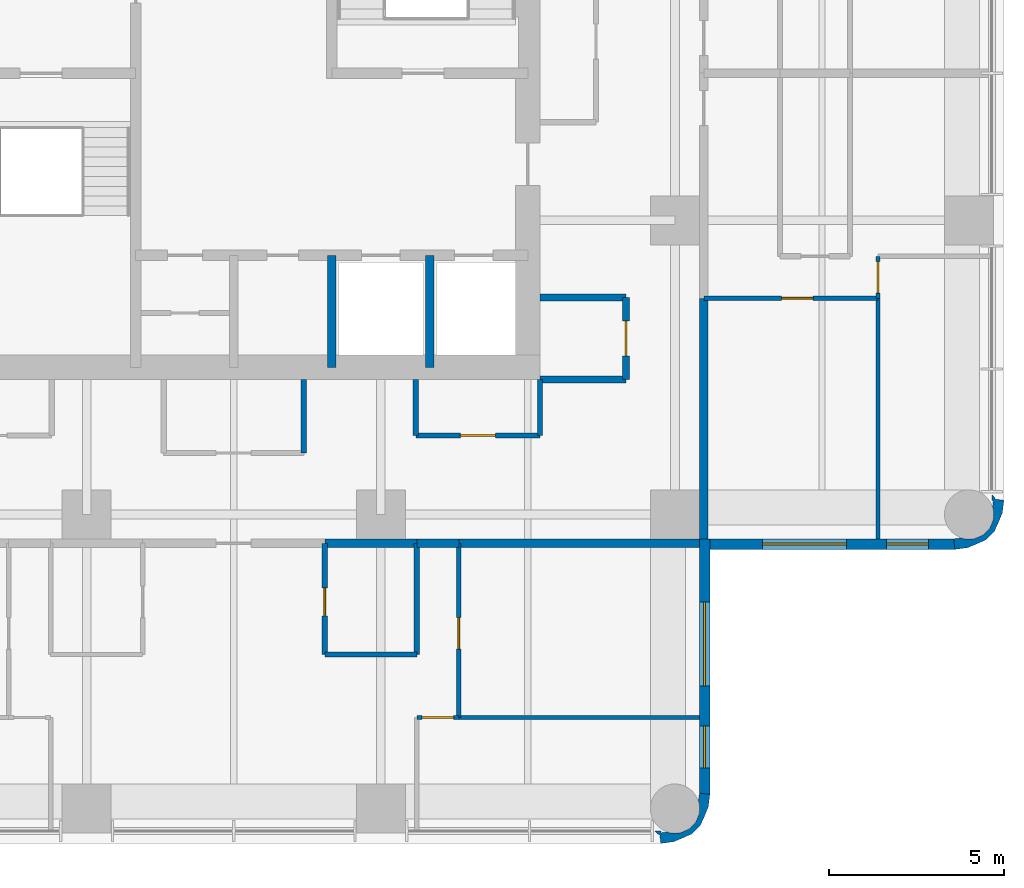
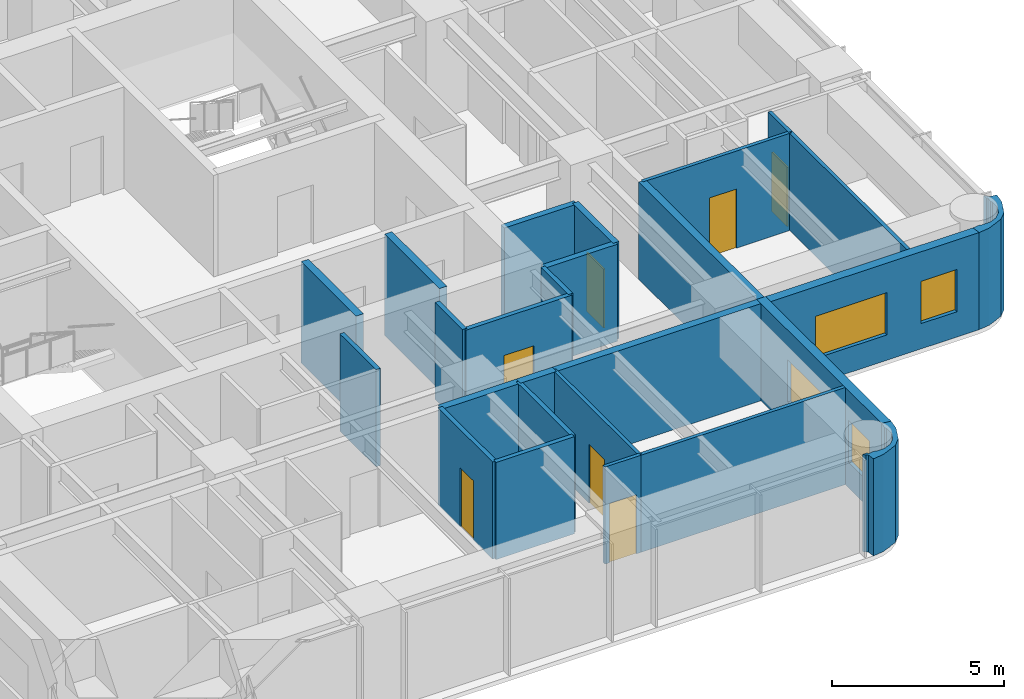
# One storey, part 7 of 11: 26 walls, 7 doors, 4 windows, 11 openings.
"""IFC4 building model written with IfcOpenShell, lengths in metres."""

from ifc_helpers import new_model, si_unit, direction, frame, frame_2d, origin, place, context, subcontext, project, spatial, polyline, rectangle, outline, extrude, material, layer, layer_set, type_object, element, fill, save


model = new_model("IFC4")

# Units and contexts
model_context = context("Model", 3, precision=1e-05, world=origin(), true_north=direction((0.0, 1.0)))
body_context = subcontext(model_context, "Body", "Model", "MODEL_VIEW")
ifc_project = project(units=[si_unit("LENGTHUNIT", "METRE"), si_unit("AREAUNIT", "SQUARE_METRE"), si_unit("VOLUMEUNIT", "CUBIC_METRE"), si_unit("PLANEANGLEUNIT", "RADIAN"), si_unit("MASSUNIT", "GRAM", prefix="KILO")], contexts=[model_context])

# Site, building, storey
site_placement = place(None, origin())
site = spatial("IfcSite", under=ifc_project, at=site_placement, CompositionType="ELEMENT")
building_placement = place(site_placement, origin())
building = spatial("IfcBuilding", under=site, at=building_placement, Name="Torre Alcanfor", CompositionType="ELEMENT")
storey_placement = place(building_placement, frame((0.0, 0.0, 190.5)))
storey = spatial("IfcBuildingStorey", under=building, at=storey_placement, Name="L49", CompositionType="ELEMENT", Elevation=190.5)

# Walls
ifc_material_1 = material(Name="Concrete block masonry, hollow blocks NMX-C-404 9 MPa", Category="masonry")
ifc_layer_1 = layer(ifc_material_1, 0.25)
ifc_layer_set_1 = layer_set([ifc_layer_1], Name="Apartment entrance wall 250 EI 60")
wall_type_1 = type_object("IfcWallType", Name="Apartment entrance wall 250 EI 60", PredefinedType="PARTITIONING", material=ifc_layer_set_1)
wall_1_placement = place(storey_placement, frame((42.824951171875, 22.970947265625, 0.0), z_axis=(0.0, 0.0, 1.0), x_axis=(0.0, -1.0, 0.0)))
element("IfcWall", 1, at=wall_1_placement, inside=storey, type_object=wall_type_1, Name="Partition L49-CORR / L49-E2-BED2", PredefinedType="PARTITIONING", context=body_context, shape_type="SweptSolid", body=[
    extrude(rectangle(XDim=6.870849609375, YDim=0.25, at=frame_2d((3.435546875, 0.0))), origin(), (0.0, 0.0, 1.0), 3.449951171875),
])
wall_2_placement = place(storey_placement, frame((34.62890625, 15.97509765625, 0.0), z_axis=(0.0, 0.0, 1.0), x_axis=(-1.0, 0.0, 0.0)))
element("IfcWall", 2, at=wall_2_placement, inside=storey, type_object=wall_type_1, Name="Partition L49-CORR / L49-SX-BATH2", PredefinedType="PARTITIONING", context=body_context, shape_type="SweptSolid", body=[
    extrude(rectangle(XDim=2.62890625, YDim=0.25, at=frame_2d((1.314453125, 0.0))), origin(), (0.0, 0.0, 1.0), 3.449951171875),
])
wall_3_placement = place(storey_placement, frame((35.8291015625, 15.97509765625, 0.0), z_axis=(0.0, 0.0, 1.0), x_axis=(-1.0, 0.0, 0.0)))
element("IfcWall", 3, at=wall_3_placement, inside=storey, type_object=wall_type_1, Name="Partition L49-CORR / L49-SX-LIVING", PredefinedType="PARTITIONING", context=body_context, shape_type="SweptSolid", body=[
    extrude(rectangle(XDim=1.2001953125, YDim=0.25, at=frame_2d((0.60009765625, 0.0))), origin(), (0.0, 0.0, 1.0), 3.449951171875),
])
wall_4_placement = place(storey_placement, frame((42.699951171875, 15.97509765625, 0.0), z_axis=(0.0, 0.0, 1.0), x_axis=(-1.0, 0.0, 0.0)))
element("IfcWall", 4, at=wall_4_placement, inside=storey, type_object=wall_type_1, Name="Partition L49-CORR / L49-SX-BED2", PredefinedType="PARTITIONING", context=body_context, shape_type="SweptSolid", body=[
    extrude(rectangle(XDim=6.870849609375, YDim=0.25, at=frame_2d((3.435546875, 0.0))), origin(), (0.0, 0.0, 1.0), 3.449951171875),
])

# Wall, opening, door
ifc_material_2 = material(Name="Gypsum board on steel studs", Category="steel")
ifc_layer_2 = layer(ifc_material_2, 0.1201171875)
ifc_layer_set_2 = layer_set([ifc_layer_2], Name="Apartment partition 120")
wall_type_2 = type_object("IfcWallType", Name="Apartment partition 120", PredefinedType="PARTITIONING", material=ifc_layer_set_2)
wall_5_placement = place(storey_placement, frame((47.800048828125, 22.970947265625, 0.0), z_axis=(0.0, 0.0, 1.0), x_axis=(-1.0, 0.0, 0.0)))
wall_5 = element("IfcWall", 5, at=wall_5_placement, inside=storey, type_object=wall_type_2, Name="Partition L49-E2-LIVING / L49-E2-BED2", PredefinedType="PARTITIONING", context=body_context, shape_type="SweptSolid", body=[
    extrude(rectangle(XDim=4.97509765625, YDim=0.1201171875, at=frame_2d((2.487548828125, 0.0))), origin(), (0.0, 0.0, 1.0), 3.449951171875),
])
opening_1_placement = place(wall_5_placement, frame((1.85009765625, 0.0, 0.0)))
opening_1 = element("IfcOpeningElement", 6, at=opening_1_placement, cuts=wall_5, Name="Opening D-R1", PredefinedType="OPENING", context=body_context, shape_type="SweptSolid", body=[
    extrude(rectangle(XDim=0.89990234375, YDim=2.10009765625, at=frame_2d((0.449951171875, 1.050048828125))), frame((0.0, 0.070068359375, 0.0), z_axis=(0.0, -1.0, 0.0), x_axis=(1.0, 0.0, 0.0)), (0.0, 0.0, 1.0), 0.14013671875),
])
ifc_material_3 = material(Name="Timber", Category="wood")
door_type_1 = type_object("IfcDoorType", Name="Internal door 900x2100", OperationType="SINGLE_SWING_LEFT", PredefinedType="DOOR", material=ifc_material_3)
door_1_placement = place(opening_1_placement, origin())
door_1 = element("IfcDoor", 7, at=door_1_placement, inside=storey, type_object=door_type_1, Name="Door L49-E2 bed2", OperationType="SINGLE_SWING_LEFT", OverallHeight=2.10009765625, OverallWidth=0.89990234375, PredefinedType="DOOR", context=body_context, shape_type="SweptSolid", body=[
    extrude(rectangle(XDim=0.89990234375, YDim=2.10009765625, at=frame_2d((0.449951171875, 1.050048828125))), frame((0.0, 0.02490234375, 0.0), z_axis=(0.0, -1.0, 0.0), x_axis=(1.0, 0.0, 0.0)), (0.0, 0.0, 1.0), 0.050048828125),
])
fill(opening_1, door_1)

wall_6_placement = place(storey_placement, frame((47.800048828125, 24.1708984375, 0.0), z_axis=(0.0, 0.0, 1.0), x_axis=(0.0, -1.0, 0.0)))
wall_6 = element("IfcWall", 8, at=wall_6_placement, inside=storey, type_object=wall_type_2, Name="Partition L49-E2-LIVING / L49-E2-MASTER", PredefinedType="PARTITIONING", context=body_context, shape_type="SweptSolid", body=[
    extrude(rectangle(XDim=1.199951171875, YDim=0.1201171875, at=frame_2d((0.60009765625, 0.0))), origin(), (0.0, 0.0, 1.0), 3.449951171875),
])
opening_2_placement = place(wall_6_placement, frame((0.15087890625, 0.0, 0.0)))
opening_2 = element("IfcOpeningElement", 9, at=opening_2_placement, cuts=wall_6, Name="Opening D-R1", PredefinedType="OPENING", context=body_context, shape_type="SweptSolid", body=[
    extrude(rectangle(XDim=0.89990234375, YDim=2.10009765625, at=frame_2d((0.449951171875, 1.050048828125))), frame((0.0, 0.070068359375, 0.0), z_axis=(0.0, -1.0, 0.0), x_axis=(1.0, 0.0, 0.0)), (0.0, 0.0, 1.0), 0.14013671875),
])
door_2_placement = place(opening_2_placement, origin())
door_2 = element("IfcDoor", 10, at=door_2_placement, inside=storey, type_object=door_type_1, Name="Door L49-E2 master", OperationType="SINGLE_SWING_LEFT", OverallHeight=2.10009765625, OverallWidth=0.89990234375, PredefinedType="DOOR", context=body_context, shape_type="SweptSolid", body=[
    extrude(rectangle(XDim=0.89990234375, YDim=2.10009765625, at=frame_2d((0.449951171875, 1.050048828125))), frame((0.0, 0.02490234375, 0.0), z_axis=(0.0, -1.0, 0.0), x_axis=(1.0, 0.0, 0.0)), (0.0, 0.0, 1.0), 0.050048828125),
])
fill(opening_2, door_2)

# Wall
wall_7_placement = place(storey_placement, frame((47.800048828125, 22.970947265625, 0.0), z_axis=(0.0, 0.0, 1.0), x_axis=(0.0, -1.0, 0.0)))
element("IfcWall", 11, at=wall_7_placement, inside=storey, type_object=wall_type_2, Name="Partition L49-E2-BED2 / L49-E2-MASTER", PredefinedType="PARTITIONING", context=body_context, shape_type="SweptSolid", body=[
    extrude(rectangle(XDim=6.870849609375, YDim=0.1201171875, at=frame_2d((3.435546875, 0.0))), origin(), (0.0, 0.0, 1.0), 3.449951171875),
])

# Wall, opening, door
wall_8_placement = place(storey_placement, frame((35.8291015625, 15.97509765625, 0.0), z_axis=(0.0, 0.0, 1.0), x_axis=(0.0, -1.0, 0.0)))
wall_8 = element("IfcWall", 12, at=wall_8_placement, inside=storey, type_object=wall_type_2, Name="Partition L49-SX-LIVING / L49-SX-BED2", PredefinedType="PARTITIONING", context=body_context, shape_type="SweptSolid", body=[
    extrude(rectangle(XDim=4.97509765625, YDim=0.1201171875, at=frame_2d((2.487548828125, 0.0))), origin(), (0.0, 0.0, 1.0), 3.449951171875),
])
opening_3_placement = place(wall_8_placement, frame((2.125, 0.0, 0.0)))
opening_3 = element("IfcOpeningElement", 13, at=opening_3_placement, cuts=wall_8, Name="Opening D-R1", PredefinedType="OPENING", context=body_context, shape_type="SweptSolid", body=[
    extrude(rectangle(XDim=0.89990234375, YDim=2.10009765625, at=frame_2d((0.449951171875, 1.050048828125))), frame((0.0, 0.070068359375, 0.0), z_axis=(0.0, -1.0, 0.0), x_axis=(1.0, 0.0, 0.0)), (0.0, 0.0, 1.0), 0.14013671875),
])
door_3_placement = place(opening_3_placement, origin())
door_3 = element("IfcDoor", 14, at=door_3_placement, inside=storey, type_object=door_type_1, Name="Door L49-SX bed2", OperationType="SINGLE_SWING_RIGHT", OverallHeight=2.10009765625, OverallWidth=0.89990234375, PredefinedType="DOOR", context=body_context, shape_type="SweptSolid", body=[
    extrude(rectangle(XDim=0.89990234375, YDim=2.10009765625, at=frame_2d((0.449951171875, 1.050048828125))), frame((0.0, 0.02490234375, 0.0), z_axis=(0.0, -1.0, 0.0), x_axis=(1.0, 0.0, 0.0)), (0.0, 0.0, 1.0), 0.050048828125),
])
fill(opening_3, door_3)

wall_9_placement = place(storey_placement, frame((35.8291015625, 11.0, 0.0), z_axis=(0.0, 0.0, 1.0), x_axis=(-1.0, 0.0, 0.0)))
wall_9 = element("IfcWall", 15, at=wall_9_placement, inside=storey, type_object=wall_type_2, Name="Partition L49-SX-LIVING / L49-SX-MASTER", PredefinedType="PARTITIONING", context=body_context, shape_type="SweptSolid", body=[
    extrude(rectangle(XDim=1.2001953125, YDim=0.1201171875, at=frame_2d((0.60009765625, 0.0))), origin(), (0.0, 0.0, 1.0), 3.449951171875),
])
opening_4_placement = place(wall_9_placement, frame((0.14892578125, 0.0, 0.0)))
opening_4 = element("IfcOpeningElement", 16, at=opening_4_placement, cuts=wall_9, Name="Opening D-R1", PredefinedType="OPENING", context=body_context, shape_type="SweptSolid", body=[
    extrude(rectangle(XDim=0.89990234375, YDim=2.10009765625, at=frame_2d((0.449951171875, 1.050048828125))), frame((0.0, 0.070068359375, 0.0), z_axis=(0.0, -1.0, 0.0), x_axis=(1.0, 0.0, 0.0)), (0.0, 0.0, 1.0), 0.14013671875),
])
door_4_placement = place(opening_4_placement, origin())
door_4 = element("IfcDoor", 17, at=door_4_placement, inside=storey, type_object=door_type_1, Name="Door L49-SX master", OperationType="SINGLE_SWING_RIGHT", OverallHeight=2.10009765625, OverallWidth=0.89990234375, PredefinedType="DOOR", context=body_context, shape_type="SweptSolid", body=[
    extrude(rectangle(XDim=0.89990234375, YDim=2.10009765625, at=frame_2d((0.449951171875, 1.050048828125))), frame((0.0, 0.02490234375, 0.0), z_axis=(0.0, -1.0, 0.0), x_axis=(1.0, 0.0, 0.0)), (0.0, 0.0, 1.0), 0.050048828125),
])
fill(opening_4, door_4)

# Walls
wall_10_placement = place(storey_placement, frame((35.8291015625, 11.0, 0.0), z_axis=(0.0, 0.0, 1.0), x_axis=(1.0, 0.0, 0.0)))
element("IfcWall", 18, at=wall_10_placement, inside=storey, type_object=wall_type_2, Name="Partition L49-SX-BED2 / L49-SX-MASTER", PredefinedType="PARTITIONING", context=body_context, shape_type="SweptSolid", body=[
    extrude(rectangle(XDim=6.870849609375, YDim=0.1201171875, at=frame_2d((3.435546875, 0.0))), origin(), (0.0, 0.0, 1.0), 3.449951171875),
])
ifc_material_4 = material(Name="Concrete f'c 70 MPa", Category="concrete")
ifc_layer_3 = layer(ifc_material_4, 0.25)
ifc_layer_set_3 = layer_set([ifc_layer_3], Name="Core shaft wall 250 f'c70")
wall_type_3 = type_object("IfcWallType", Name="Core shaft wall 250 f'c70", PredefinedType="SHEAR", material=ifc_layer_set_3)
for number, where, z_axis, x_axis, name in (
    (19, (32.199951171875, 21.0, 0.0), (0.0, 0.0, 1.0), (0.0, 1.0, 0.0), "Core wall X322S L49"),
    (20, (35.0, 21.0, 0.0), (0.0, 0.0, 1.0), (0.0, 1.0, 0.0), "Core wall X350S L49"),
):
    element("IfcWall", number, at=place(storey_placement, frame(where, z_axis=z_axis, x_axis=x_axis)), inside=storey, type_object=wall_type_3, Name=name, PredefinedType="SHEAR", context=body_context, shape_type="SweptSolid", body=[
        extrude(rectangle(XDim=3.199951171875, YDim=0.25, at=frame_2d((1.60009765625, 0.0))), origin(), (0.0, 0.0, 1.0), 3.60009765625),
    ])

# Wall, openings, windows
ifc_material_5 = material(Name="Limestone cladding", Category="masonry")
ifc_layer_4 = layer(ifc_material_5, 0.0400390625, Name="Facing")
ifc_material_6 = material(Name="Ventilated air cavity")
ifc_layer_5 = layer(ifc_material_6, 0.02001953125, ventilated=True, Name="Ventilated joint")
ifc_material_7 = material(Name="Mineral wool insulation", Category="insulation")
ifc_layer_6 = layer(ifc_material_7, 0.10009765625, Name="Insulation")
ifc_material_8 = material(Name="Concrete f'c 35 MPa", Category="concrete")
ifc_layer_7 = layer(ifc_material_8, 0.139892578125, Name="Backing")
ifc_layer_set_4 = layer_set([ifc_layer_4, ifc_layer_5, ifc_layer_6, ifc_layer_7], Name="External wall stone-clad 300")
wall_type_4 = type_object("IfcWallType", Name="External wall stone-clad 300", PredefinedType="SOLIDWALL", material=ifc_layer_set_4)
wall_11_placement = place(storey_placement, frame((42.85009765625, 8.800048828125, 0.0), z_axis=(0.0, 0.0, 1.0), x_axis=(0.0, 1.0, 0.0)))
wall_11 = element("IfcWall", 21, at=wall_11_placement, inside=storey, type_object=wall_type_4, Name="External wall L49 6", PredefinedType="SOLIDWALL", context=body_context, shape_type="SweptSolid", body=[
    extrude(rectangle(XDim=7.300048828125, YDim=0.300048828125, at=frame_2d((3.64990234375, 0.0))), origin(), (0.0, 0.0, 1.0), 3.449951171875),
])
opening_5_placement = place(wall_11_placement, frame((3.10009765625, 0.0, 0.89990234375)))
opening_5 = element("IfcOpeningElement", 22, at=opening_5_placement, cuts=wall_11, Name="Opening W1", PredefinedType="OPENING", context=body_context, shape_type="SweptSolid", body=[
    extrude(rectangle(XDim=2.39990234375, YDim=1.5, at=frame_2d((1.199951171875, 0.75))), frame((0.0, 0.159912109375, 0.0), z_axis=(0.0, -1.0, 0.0), x_axis=(1.0, 0.0, 0.0)), (0.0, 0.0, 1.0), 0.320068359375),
])
opening_6_placement = place(wall_11_placement, frame((0.75, 0.0, 0.89990234375)))
opening_6 = element("IfcOpeningElement", 23, at=opening_6_placement, cuts=wall_11, Name="Opening W4", PredefinedType="OPENING", context=body_context, shape_type="SweptSolid", body=[
    extrude(rectangle(XDim=1.199951171875, YDim=1.5, at=frame_2d((0.60009765625, 0.75))), frame((0.0, 0.159912109375, 0.0), z_axis=(0.0, -1.0, 0.0), x_axis=(1.0, 0.0, 0.0)), (0.0, 0.0, 1.0), 0.320068359375),
])
ifc_material_9 = material(Name="Aluminium frame with clear double glazing", Category="aluminium")
window_type_1 = type_object("IfcWindowType", Name="Window bedroom 1200x1500", PartitioningType="SINGLE_PANEL", PredefinedType="WINDOW", material=ifc_material_9)
window_1_placement = place(opening_6_placement, origin())
window_1 = element("IfcWindow", 24, at=window_1_placement, inside=storey, type_object=window_type_1, Name="Window W4 L49-S1", OverallHeight=1.5, OverallWidth=1.199951171875, PartitioningType="SINGLE_PANEL", PredefinedType="WINDOW", context=body_context, shape_type="SweptSolid", body=[
    extrude(rectangle(XDim=1.199951171875, YDim=1.5, at=frame_2d((0.60009765625, 0.75))), frame((0.0, 0.030029296875, 0.0), z_axis=(0.0, -1.0, 0.0), x_axis=(1.0, 0.0, 0.0)), (0.0, 0.0, 1.0), 0.06005859375),
])
fill(opening_6, window_1)
ifc_material_10 = material(Name="Aluminium frame with clear double glazing", Category="aluminium")
window_type_2 = type_object("IfcWindowType", Name="Window bedroom 2400x1500", PartitioningType="SINGLE_PANEL", PredefinedType="WINDOW", material=ifc_material_10)
window_2_placement = place(opening_5_placement, origin())
window_2 = element("IfcWindow", 25, at=window_2_placement, inside=storey, type_object=window_type_2, Name="Window W1 L49-S1", OverallHeight=1.5, OverallWidth=2.39990234375, PartitioningType="SINGLE_PANEL", PredefinedType="WINDOW", context=body_context, shape_type="SweptSolid", body=[
    extrude(rectangle(XDim=2.39990234375, YDim=1.5, at=frame_2d((1.199951171875, 0.75))), frame((0.0, 0.030029296875, 0.0), z_axis=(0.0, -1.0, 0.0), x_axis=(1.0, 0.0, 0.0)), (0.0, 0.0, 1.0), 0.06005859375),
])
fill(opening_5, window_2)

wall_12_placement = place(storey_placement, frame((43.0, 15.949951171875, 0.0), z_axis=(0.0, 0.0, 1.0), x_axis=(1.0, 0.0, 0.0)))
wall_12 = element("IfcWall", 26, at=wall_12_placement, inside=storey, type_object=wall_type_4, Name="External wall L49 7", PredefinedType="SOLIDWALL", context=body_context, shape_type="SweptSolid", body=[
    extrude(rectangle(XDim=7.0, YDim=0.300048828125, at=frame_2d((3.5, 0.0))), origin(), (0.0, 0.0, 1.0), 3.449951171875),
])
opening_7_placement = place(wall_12_placement, frame((1.5, 0.0, 0.89990234375)))
opening_7 = element("IfcOpeningElement", 27, at=opening_7_placement, cuts=wall_12, Name="Opening W1", PredefinedType="OPENING", context=body_context, shape_type="SweptSolid", body=[
    extrude(rectangle(XDim=2.39990234375, YDim=1.5, at=frame_2d((1.199951171875, 0.75))), frame((0.0, 0.159912109375, 0.0), z_axis=(0.0, -1.0, 0.0), x_axis=(1.0, 0.0, 0.0)), (0.0, 0.0, 1.0), 0.320068359375),
])
opening_8_placement = place(wall_12_placement, frame((5.050048828125, 0.0, 0.89990234375)))
opening_8 = element("IfcOpeningElement", 28, at=opening_8_placement, cuts=wall_12, Name="Opening W4", PredefinedType="OPENING", context=body_context, shape_type="SweptSolid", body=[
    extrude(rectangle(XDim=1.199951171875, YDim=1.5, at=frame_2d((0.60009765625, 0.75))), frame((0.0, 0.159912109375, 0.0), z_axis=(0.0, -1.0, 0.0), x_axis=(1.0, 0.0, 0.0)), (0.0, 0.0, 1.0), 0.320068359375),
])
window_3_placement = place(opening_8_placement, origin())
window_3 = element("IfcWindow", 29, at=window_3_placement, inside=storey, type_object=window_type_1, Name="Window W4 L49-E2", OverallHeight=1.5, OverallWidth=1.199951171875, PartitioningType="SINGLE_PANEL", PredefinedType="WINDOW", context=body_context, shape_type="SweptSolid", body=[
    extrude(rectangle(XDim=1.199951171875, YDim=1.5, at=frame_2d((0.60009765625, 0.75))), frame((0.0, 0.030029296875, 0.0), z_axis=(0.0, -1.0, 0.0), x_axis=(1.0, 0.0, 0.0)), (0.0, 0.0, 1.0), 0.06005859375),
])
fill(opening_8, window_3)
window_4_placement = place(opening_7_placement, origin())
window_4 = element("IfcWindow", 30, at=window_4_placement, inside=storey, type_object=window_type_2, Name="Window W1 L49-E2", OverallHeight=1.5, OverallWidth=2.39990234375, PartitioningType="SINGLE_PANEL", PredefinedType="WINDOW", context=body_context, shape_type="SweptSolid", body=[
    extrude(rectangle(XDim=2.39990234375, YDim=1.5, at=frame_2d((1.199951171875, 0.75))), frame((0.0, 0.030029296875, 0.0), z_axis=(0.0, -1.0, 0.0), x_axis=(1.0, 0.0, 0.0)), (0.0, 0.0, 1.0), 0.06005859375),
])
fill(opening_7, window_4)

# Wall
ifc_material_11 = material(Name="Concrete block masonry, hollow blocks NMX-C-404 9 MPa", Category="masonry")
ifc_layer_8 = layer(ifc_material_11, 0.199951171875)
ifc_layer_set_5 = layer_set([ifc_layer_8], Name="Plant room wall 200 EI 60")
wall_type_5 = type_object("IfcWallType", Name="Plant room wall 200 EI 60", PredefinedType="PARTITIONING", material=ifc_layer_set_5)
wall_13_placement = place(storey_placement, frame((38.14990234375, 20.64990234375, 0.0), z_axis=(0.0, 0.0, 1.0), x_axis=(1.0, 0.0, 0.0)))
element("IfcWall", 31, at=wall_13_placement, inside=storey, type_object=wall_type_5, Name="Partition L49-CORR / L49-G03", PredefinedType="PARTITIONING", context=body_context, shape_type="SweptSolid", body=[
    extrude(rectangle(XDim=2.4501953125, YDim=0.199951171875, at=frame_2d((1.22509765625, 0.0))), origin(), (0.0, 0.0, 1.0), 3.449951171875),
])

# Wall, opening, door
wall_14_placement = place(storey_placement, frame((40.60009765625, 20.64990234375, 0.0), z_axis=(0.0, 0.0, 1.0), x_axis=(0.0, 1.0, 0.0)))
wall_14 = element("IfcWall", 32, at=wall_14_placement, inside=storey, type_object=wall_type_5, Name="Partition L49-CORR / L49-G03", PredefinedType="PARTITIONING", context=body_context, shape_type="SweptSolid", body=[
    extrude(rectangle(XDim=2.35009765625, YDim=0.199951171875, at=frame_2d((1.175048828125, 0.0))), origin(), (0.0, 0.0, 1.0), 3.449951171875),
])
opening_9_placement = place(wall_14_placement, frame((0.675048828125, 0.0, 0.0)))
opening_9 = element("IfcOpeningElement", 33, at=opening_9_placement, cuts=wall_14, Name="Opening D-K1", PredefinedType="OPENING", context=body_context, shape_type="SweptSolid", body=[
    extrude(rectangle(XDim=1.0, YDim=2.10009765625, at=frame_2d((0.5, 1.050048828125))), frame((0.0, 0.10986328125, 0.0), z_axis=(0.0, -1.0, 0.0), x_axis=(1.0, 0.0, 0.0)), (0.0, 0.0, 1.0), 0.219970703125),
])
ifc_material_12 = material(Name="Galvanised steel sheet ASTM A653", Category="steel")
door_type_2 = type_object("IfcDoorType", Name="Core room door FD60 1000x2100", OperationType="SINGLE_SWING_LEFT", PredefinedType="DOOR", material=ifc_material_12)
door_5_placement = place(opening_9_placement, origin())
door_5 = element("IfcDoor", 34, at=door_5_placement, inside=storey, type_object=door_type_2, Name="Door L49-G03 refuse and recycling store", OperationType="SINGLE_SWING_LEFT", OverallHeight=2.10009765625, OverallWidth=1.0, PredefinedType="DOOR", context=body_context, shape_type="SweptSolid", body=[
    extrude(rectangle(XDim=1.0, YDim=2.10009765625, at=frame_2d((0.5, 1.050048828125))), frame((0.0, 0.02490234375, 0.0), z_axis=(0.0, -1.0, 0.0), x_axis=(1.0, 0.0, 0.0)), (0.0, 0.0, 1.0), 0.050048828125),
])
fill(opening_9, door_5)

# Walls
wall_15_placement = place(storey_placement, frame((40.60009765625, 23.0, 0.0), z_axis=(0.0, 0.0, 1.0), x_axis=(-1.0, 0.0, 0.0)))
element("IfcWall", 35, at=wall_15_placement, inside=storey, type_object=wall_type_5, Name="Partition L49-CORR / L49-G03", PredefinedType="PARTITIONING", context=body_context, shape_type="SweptSolid", body=[
    extrude(rectangle(XDim=2.4501953125, YDim=0.199951171875, at=frame_2d((1.22509765625, 0.0))), origin(), (0.0, 0.0, 1.0), 3.449951171875),
])
ifc_material_13 = material(Name="Concrete block masonry, hollow blocks NMX-C-404 9 MPa", Category="masonry")
ifc_layer_9 = layer(ifc_material_13, 0.14990234375)
ifc_layer_set_6 = layer_set([ifc_layer_9], Name="Residents' room partition 150")
wall_type_6 = type_object("IfcWallType", Name="Residents' room partition 150", PredefinedType="PARTITIONING", material=ifc_layer_set_6)
wall_16_placement = place(storey_placement, frame((31.39990234375, 18.550048828125, 0.0), z_axis=(0.0, 0.0, 1.0), x_axis=(0.0, 1.0, 0.0)))
element("IfcWall", 36, at=wall_16_placement, inside=storey, type_object=wall_type_6, Name="Partition L49-CORR / L49-G06", PredefinedType="PARTITIONING", context=body_context, shape_type="SweptSolid", body=[
    extrude(rectangle(XDim=2.099853515625, YDim=0.14990234375, at=frame_2d((1.0498046875, 0.0))), origin(), (0.0, 0.0, 1.0), 3.449951171875),
])
wall_17_placement = place(storey_placement, frame((34.60009765625, 20.64990234375, 0.0), z_axis=(0.0, 0.0, 1.0), x_axis=(0.0, -1.0, 0.0)))
element("IfcWall", 37, at=wall_17_placement, inside=storey, type_object=wall_type_6, Name="Partition L49-CORR / L49-G07", PredefinedType="PARTITIONING", context=body_context, shape_type="SweptSolid", body=[
    extrude(rectangle(XDim=1.599853515625, YDim=0.14990234375, at=frame_2d((0.7998046875, 0.0))), origin(), (0.0, 0.0, 1.0), 3.449951171875),
])

# Wall, opening, door
wall_18_placement = place(storey_placement, frame((34.60009765625, 19.050048828125, 0.0), z_axis=(0.0, 0.0, 1.0), x_axis=(1.0, 0.0, 0.0)))
wall_18 = element("IfcWall", 38, at=wall_18_placement, inside=storey, type_object=wall_type_6, Name="Partition L49-CORR / L49-G07", PredefinedType="PARTITIONING", context=body_context, shape_type="SweptSolid", body=[
    extrude(rectangle(XDim=3.5498046875, YDim=0.14990234375, at=frame_2d((1.77490234375, 0.0))), origin(), (0.0, 0.0, 1.0), 3.449951171875),
])
opening_10_placement = place(wall_18_placement, frame((1.27490234375, 0.0, 0.0)))
opening_10 = element("IfcOpeningElement", 39, at=opening_10_placement, cuts=wall_18, Name="Opening D-M1", PredefinedType="OPENING", context=body_context, shape_type="SweptSolid", body=[
    extrude(rectangle(XDim=1.0, YDim=2.10009765625, at=frame_2d((0.5, 1.050048828125))), frame((0.0, 0.0849609375, 0.0), z_axis=(0.0, -1.0, 0.0), x_axis=(1.0, 0.0, 0.0)), (0.0, 0.0, 1.0), 0.169921875),
])
ifc_material_14 = material(Name="Timber", Category="wood")
door_type_3 = type_object("IfcDoorType", Name="Residents' room door 1000x2100", OperationType="SINGLE_SWING_LEFT", PredefinedType="DOOR", material=ifc_material_14)
door_6_placement = place(opening_10_placement, origin())
door_6 = element("IfcDoor", 40, at=door_6_placement, inside=storey, type_object=door_type_3, Name="Door L49-G07 residents' lockers", OperationType="SINGLE_SWING_LEFT", OverallHeight=2.10009765625, OverallWidth=1.0, PredefinedType="DOOR", context=body_context, shape_type="SweptSolid", body=[
    extrude(rectangle(XDim=1.0, YDim=2.10009765625, at=frame_2d((0.5, 1.050048828125))), frame((0.0, 0.02490234375, 0.0), z_axis=(0.0, -1.0, 0.0), x_axis=(1.0, 0.0, 0.0)), (0.0, 0.0, 1.0), 0.050048828125),
])
fill(opening_10, door_6)

# Walls
wall_19_placement = place(storey_placement, frame((38.14990234375, 19.050048828125, 0.0), z_axis=(0.0, 0.0, 1.0), x_axis=(0.0, 1.0, 0.0)))
element("IfcWall", 41, at=wall_19_placement, inside=storey, type_object=wall_type_6, Name="Partition L49-CORR / L49-G07", PredefinedType="PARTITIONING", context=body_context, shape_type="SweptSolid", body=[
    extrude(rectangle(XDim=1.599853515625, YDim=0.14990234375, at=frame_2d((0.7998046875, 0.0))), origin(), (0.0, 0.0, 1.0), 3.449951171875),
])
ifc_layer_10 = layer(ifc_material_5, 0.0400390625, Name="Facing")
ifc_layer_11 = layer(ifc_material_6, 0.02001953125, ventilated=True, Name="Ventilated joint")
ifc_layer_12 = layer(ifc_material_7, 0.10009765625, Name="Insulation")
ifc_layer_13 = layer(ifc_material_8, 0.139892578125, Name="Backing")
ifc_layer_set_7 = layer_set([ifc_layer_10, ifc_layer_11, ifc_layer_12, ifc_layer_13], Name="Rounded corner pier stone-clad 300")
wall_type_7 = type_object("IfcWallType", Name="Rounded corner pier stone-clad 300", PredefinedType="SOLIDWALL", material=ifc_layer_set_7)
wall_20_placement = place(storey_placement, frame((41.487674505, 7.81184816, 0.0), z_axis=(0.0, 0.0, 1.0), x_axis=(0.439933741929, -0.898030234854, 0.0)))
element("IfcWall", 42, at=wall_20_placement, inside=storey, type_object=wall_type_7, Name="Corner pier L49 16", PredefinedType="SOLIDWALL", context=body_context, shape_type="SweptSolid", body=[
    extrude(outline(polyline([(-0.22211106405008596, 1.79285683715578), (-0.38963046514304167, 1.5408036407584151), (-0.3716523207929293, 1.5319963734639448), (-0.19468756344442484, 1.4143112499146666), (-0.11952867709650372, 1.4095716139925836), (0.13084986982823227, 1.2869143060622759), (0.31521775375122, 1.077790939273673), (0.4056918504372342, 0.8140758848288827), (0.38808178724257975, 0.5356161745678794), (0.2654244793122719, 0.2852376276431435), (0.2089428669679142, 0.23542648619150297), (0.14753391384334946, 0.052913590909571956), (0.10500025525893722, 0.07375029645990445), (0.031856974435347366, -0.07555599991115089), (0.1375846098688884, -0.03953909720776211), (0.1818140873587874, -0.00030939302076338215), (0.41939853572309777, -0.08026947549461516), (0.5358164427032454, 0.26614260505761644), (0.5587307592354187, 0.6309028220812384), (0.5547454122460747, 0.6510699721236227), (0.5663481591314005, 0.8356895887147825), (0.4554073490163316, 1.1591818423176052), (0.33330228334154954, 1.2978396679318425), (0.3239786746038034, 1.3165440299102549), (0.08230538830534162, 1.5907138760183892), (-0.22211106405008596, 1.79285683715578)])), origin(), (0.0, 0.0, 1.0), 3.449951171875),
])
wall_21_placement = place(storey_placement, frame((50.110315272, 16.075788181, 0.0), z_axis=(0.0, 0.0, 1.0), x_axis=(0.898030234854, -0.439933741929, 0.0)))
element("IfcWall", 43, at=wall_21_placement, inside=storey, type_object=wall_type_7, Name="Corner pier L49 17", PredefinedType="SOLIDWALL", context=body_context, shape_type="SweptSolid", body=[
    extrude(outline(polyline([(0.6635309497954787, 1.5768652207279077), (0.4261657470939745, 1.4970125439527688), (0.3820436753027886, 1.5360230024769612), (0.27620863417053443, 1.5722591508431565), (0.3493519149941243, 1.422952854472101), (0.3918855735785366, 1.4437895600224335), (0.45340193240181437, 1.2610574190776962), (0.5097761390474591, 1.211465523288862), (0.6324334469777668, 0.961086976364126), (0.6500435101724213, 0.6826272661031227), (0.5595694134864071, 0.41891221165833237), (0.3749822839006132, 0.2096814391710166), (0.12460373697587725, 0.08702413124070879), (0.0497715019894753, 0.08217265535453251), (-0.12751990672054841, -0.03540062823065235), (-0.14527880540785457, -0.04410048982640973), (0.02224059568510124, -0.2961536862237746), (0.3266570480405287, -0.09401072508638375), (0.5683303343389906, 0.18015912102175058), (0.5774346974139304, 0.19875607730145015), (0.6998664144502319, 0.3373020629515939), (0.8106998188665876, 0.6610135622172228), (0.7988778263184556, 0.8455257731096697), (0.8030824189706058, 0.8658003288507671), (0.7801681024384324, 1.230560545874389), (0.6635309497954787, 1.5768652207279077)])), origin(), (0.0, 0.0, 1.0), 3.449951171875),
])

# Wall, opening, door
ifc_material_15 = material(Name="Cement board on steel studs", Category="steel")
ifc_layer_14 = layer(ifc_material_15, 0.14990234375)
ifc_layer_set_8 = layer_set([ifc_layer_14], Name="Wet area partition 150")
wall_type_8 = type_object("IfcWallType", Name="Wet area partition 150", PredefinedType="PARTITIONING", material=ifc_layer_set_8)
wall_22_placement = place(storey_placement, frame((32.0, 12.800048828125, 0.0), z_axis=(0.0, 0.0, 1.0), x_axis=(0.0, 1.0, 0.0)))
wall_22 = element("IfcWall", 44, at=wall_22_placement, inside=storey, type_object=wall_type_8, Name="Partition L49-SX-ZAG / L49-SX-BATH2", PredefinedType="PARTITIONING", context=body_context, shape_type="SweptSolid", body=[
    extrude(rectangle(XDim=3.175048828125, YDim=0.14990234375, at=frame_2d((1.58740234375, 0.0))), origin(), (0.0, 0.0, 1.0), 3.449951171875),
])
opening_11_placement = place(wall_22_placement, frame((1.10009765625, 0.0, 0.0)))
opening_11 = element("IfcOpeningElement", 45, at=opening_11_placement, cuts=wall_22, Name="Opening D-R2", PredefinedType="OPENING", context=body_context, shape_type="SweptSolid", body=[
    extrude(rectangle(XDim=0.800048828125, YDim=2.10009765625, at=frame_2d((0.39990234375, 1.050048828125))), frame((0.0, 0.0849609375, 0.0), z_axis=(0.0, -1.0, 0.0), x_axis=(1.0, 0.0, 0.0)), (0.0, 0.0, 1.0), 0.169921875),
])
ifc_material_16 = material(Name="Timber", Category="wood")
door_type_4 = type_object("IfcDoorType", Name="Bathroom door 800x2100", OperationType="SINGLE_SWING_LEFT", PredefinedType="DOOR", material=ifc_material_16)
door_7_placement = place(opening_11_placement, frame((0.800048828125, 0.0, 0.0), z_axis=(0.0, 0.0, 1.0), x_axis=(-1.0, 0.0, 0.0)))
door_7 = element("IfcDoor", 46, at=door_7_placement, inside=storey, type_object=door_type_4, Name="Door L49-SX bath2", OperationType="SINGLE_SWING_RIGHT", OverallHeight=2.10009765625, OverallWidth=0.800048828125, PredefinedType="DOOR", context=body_context, shape_type="SweptSolid", body=[
    extrude(rectangle(XDim=0.800048828125, YDim=2.10009765625, at=frame_2d((0.400146484375, 1.050048828125))), frame((0.0, 0.025146484375, 0.0), z_axis=(0.0, -1.0, 0.0), x_axis=(1.0, 0.0, 0.0)), (0.0, 0.0, 1.0), 0.050048828125),
])
fill(opening_11, door_7)

# Walls
wall_23_placement = place(storey_placement, frame((32.0, 12.800048828125, 0.0), z_axis=(0.0, 0.0, 1.0), x_axis=(1.0, 0.0, 0.0)))
element("IfcWall", 47, at=wall_23_placement, inside=storey, type_object=wall_type_8, Name="Partition L49-SX-BATH2 / L49-SX-LIVING", PredefinedType="PARTITIONING", context=body_context, shape_type="SweptSolid", body=[
    extrude(rectangle(XDim=2.62890625, YDim=0.14990234375, at=frame_2d((1.314453125, 0.0))), origin(), (0.0, 0.0, 1.0), 3.449951171875),
])
wall_24_placement = place(storey_placement, frame((34.62890625, 12.800048828125, 0.0), z_axis=(0.0, 0.0, 1.0), x_axis=(0.0, 1.0, 0.0)))
element("IfcWall", 48, at=wall_24_placement, inside=storey, type_object=wall_type_8, Name="Partition L49-SX-BATH2 / L49-SX-LIVING", PredefinedType="PARTITIONING", context=body_context, shape_type="SweptSolid", body=[
    extrude(rectangle(XDim=3.175048828125, YDim=0.14990234375, at=frame_2d((1.58740234375, 0.0))), origin(), (0.0, 0.0, 1.0), 3.449951171875),
])

save(model, "model.ifc")
